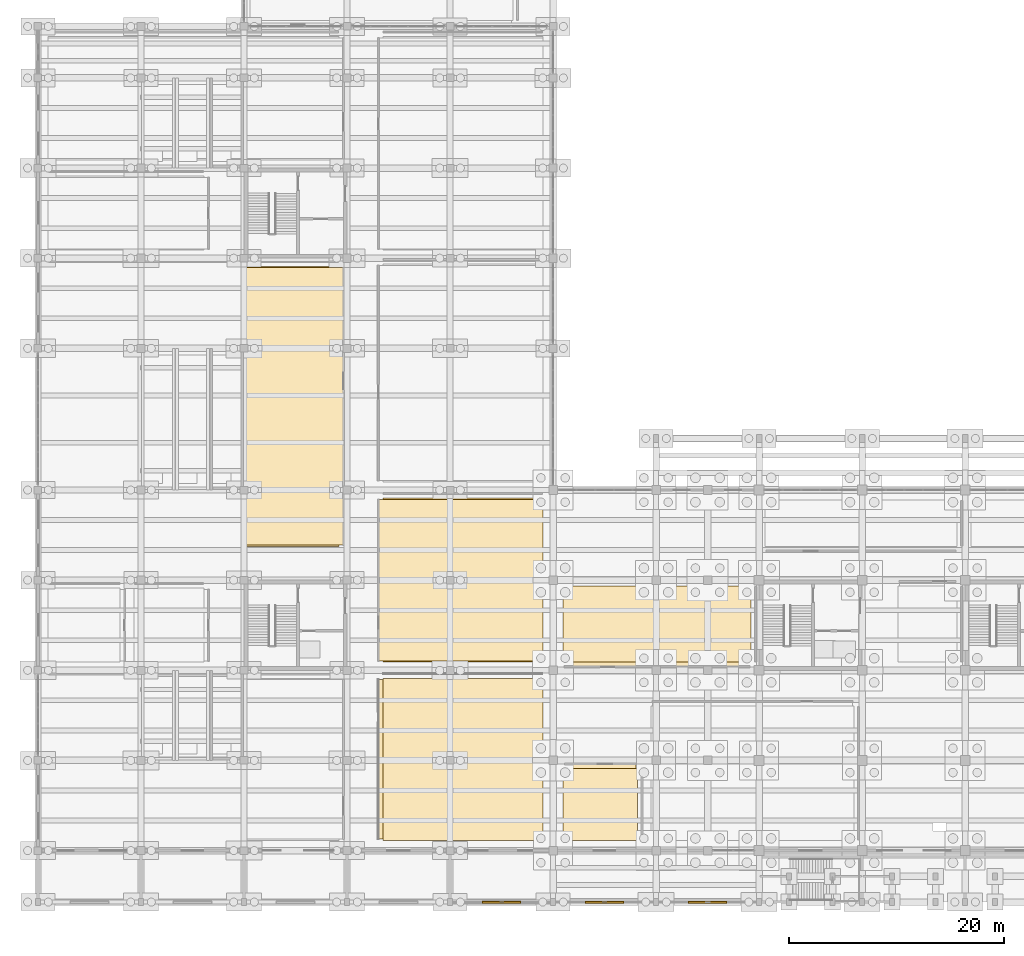
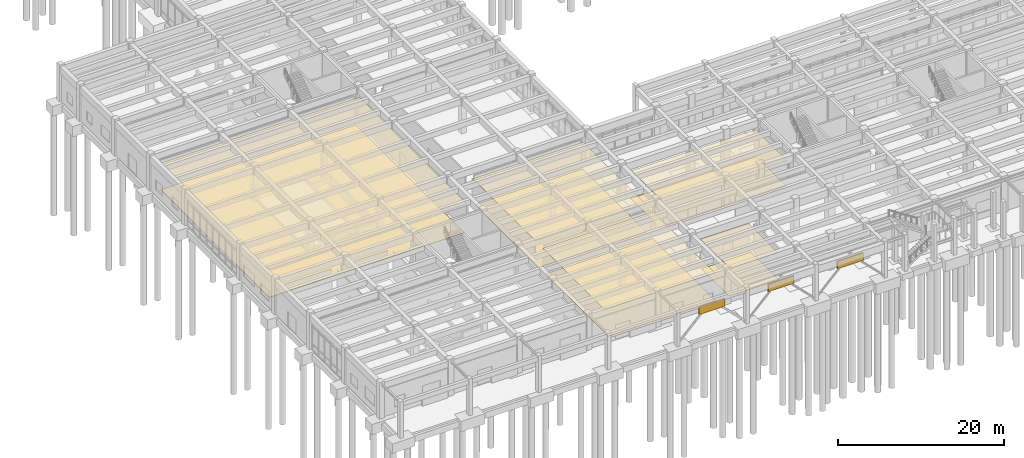
# One storey, part 89 of 102: 10 coverings, 3 shading devices.
"""IFC4 building model written with IfcOpenShell, lengths in metres."""

from ifc_helpers import new_model, si_unit, direction, frame, origin, origin_2d, place, context, subcontext, project, spatial, polyline, rectangle, outline, extrude, material, layer, layer_set, type_object, element, save


model = new_model("IFC4")

# Units and contexts
model_context = context("Model", 3, precision=1e-05, world=origin(), true_north=direction((0.0, 1.0)))
body_context = subcontext(model_context, "Body", "Model", "MODEL_VIEW")
ifc_project = project(units=[si_unit("LENGTHUNIT", "METRE"), si_unit("AREAUNIT", "SQUARE_METRE"), si_unit("VOLUMEUNIT", "CUBIC_METRE"), si_unit("PLANEANGLEUNIT", "RADIAN"), si_unit("MASSUNIT", "GRAM", prefix="KILO")], contexts=[model_context])

# Site, building, storey
site_placement = place(None, origin())
site = spatial("IfcSite", under=ifc_project, at=site_placement, CompositionType="ELEMENT")
building_placement = place(site_placement, origin())
building = spatial("IfcBuilding", under=site, at=building_placement, Name="Kolvemor Railside Polytechnic", CompositionType="ELEMENT")
storey_placement = place(building_placement, origin())
storey = spatial("IfcBuildingStorey", under=building, at=storey_placement, Name="L00", CompositionType="ELEMENT", Elevation=0.0)

# Coverings
ifc_material_1 = material(Name="Perforated acoustic mineral-fibre and timber-slat ceiling", Category="wood")
ifc_layer_1 = layer(ifc_material_1, 0.02490234375, Name="COV-CEIL-1")
ifc_layer_set_1 = layer_set([ifc_layer_1], Name="Perforated acoustic mineral-fibre and timber-slat ceiling")
covering_type_1 = type_object("IfcCoveringType", Name="COV-CEIL-1", PredefinedType="CEILING", material=ifc_layer_set_1)
covering_1_placement = place(storey_placement, frame((0.0, 0.0, 4.014892578125)))
element("IfcCovering", 1, at=covering_1_placement, inside=storey, type_object=covering_type_1, Name="Fire Command Centre Acoustic Ceiling", PredefinedType="CEILING", context=body_context, shape_type="SweptSolid", body=[
    extrude(outline(polyline([(49.080078125, 5.75), (55.719970703125, 5.75), (55.719970703125, 12.8798828125), (49.080078125, 12.8798828125), (49.080078125, 5.75)])), origin(), (0.0, 0.0, 1.0), 0.025146484375),
])
covering_2_placement = place(storey_placement, frame((0.0, 0.0, 4.014892578125)))
element("IfcCovering", 2, at=covering_2_placement, inside=storey, type_object=covering_type_1, Name="Electrical Power Systems Laboratory Acoustic Ceiling", PredefinedType="CEILING", context=body_context, shape_type="SweptSolid", body=[
    extrude(outline(polyline([(49.080078125, 21.919921875), (66.320068359375, 21.919921875), (66.320068359375, 29.449951171875), (49.080078125, 29.449951171875), (49.080078125, 21.919921875)])), origin(), (0.0, 0.0, 1.0), 0.025146484375),
])
ifc_material_2 = material(Name="Perforated acoustic mineral-fibre and timber-slat ceiling", Category="wood")
ifc_layer_2 = layer(ifc_material_2, 0.030029296875, Name="COV-CEIL-2")
ifc_layer_set_2 = layer_set([ifc_layer_2], Name="Perforated acoustic mineral-fibre and timber-slat ceiling")
covering_type_2 = type_object("IfcCoveringType", Name="COV-CEIL-2", PredefinedType="CEILING", material=ifc_layer_set_2)
covering_3_placement = place(storey_placement, frame((0.0, 0.0, 4.010009765625)))
element("IfcCovering", 3, at=covering_3_placement, inside=storey, type_object=covering_type_2, Name="Seminar Room 001 Acoustic Ceiling", PredefinedType="CEILING", context=body_context, shape_type="SweptSolid", body=[
    extrude(outline(polyline([(31.719970703125, 5.8798828125), (47.050048828125, 5.8798828125), (47.050048828125, 20.719970703125), (31.719970703125, 20.719970703125), (31.719970703125, 5.8798828125)])), origin(), (0.0, 0.0, 1.0), 0.030029296875),
])
ifc_material_3 = material(Name="Perforated acoustic mineral-fibre and timber-slat ceiling", Category="wood")
ifc_layer_3 = layer(ifc_material_3, 0.034912109375, Name="COV-CEIL-3")
ifc_layer_set_3 = layer_set([ifc_layer_3], Name="Perforated acoustic mineral-fibre and timber-slat ceiling")
covering_type_3 = type_object("IfcCoveringType", Name="COV-CEIL-3", PredefinedType="CEILING", material=ifc_layer_set_3)
covering_4_placement = place(storey_placement, frame((0.0, 0.0, 4.0048828125)))
element("IfcCovering", 4, at=covering_4_placement, inside=storey, type_object=covering_type_3, Name="Seminar Room 002 Acoustic Ceiling", PredefinedType="CEILING", context=body_context, shape_type="SweptSolid", body=[
    extrude(outline(polyline([(31.719970703125, 22.47998046875), (47.050048828125, 22.47998046875), (47.050048828125, 37.52001953125), (31.719970703125, 37.52001953125), (31.719970703125, 22.47998046875)])), origin(), (0.0, 0.0, 1.0), 0.03515625),
])
ifc_material_4 = material(Name="Perforated acoustic mineral-fibre and timber-slat ceiling", Category="wood")
ifc_layer_4 = layer(ifc_material_4, 0.0400390625, Name="COV-CEIL-4")
ifc_layer_set_4 = layer_set([ifc_layer_4], Name="Perforated acoustic mineral-fibre and timber-slat ceiling")
covering_type_4 = type_object("IfcCoveringType", Name="COV-CEIL-4", PredefinedType="CEILING", material=ifc_layer_set_4)
covering_5_placement = place(storey_placement, frame((0.0, 0.0, 4.0)))
element("IfcCovering", 5, at=covering_5_placement, inside=storey, type_object=covering_type_4, Name="Lecture Theatre LT-2 Acoustic Ceiling", PredefinedType="CEILING", context=body_context, shape_type="SweptSolid", body=[
    extrude(outline(polyline([(0.949951171875, 33.280029296875), (28.47998046875, 33.280029296875), (28.47998046875, 59.1201171875), (0.949951171875, 59.1201171875), (0.949951171875, 33.280029296875)])), origin(), (0.0, 0.0, 1.0), 0.0400390625),
])
ifc_material_5 = material(Name="Polished coral-aggregate terrazzo and laboratory epoxy flooring")
ifc_layer_5 = layer(ifc_material_5, 0.02001953125, Name="COV-FLR-1")
ifc_layer_set_5 = layer_set([ifc_layer_5], Name="Polished coral-aggregate terrazzo and laboratory epoxy flooring")
covering_type_5 = type_object("IfcCoveringType", Name="COV-FLR-1", PredefinedType="FLOORING", material=ifc_layer_set_5)
covering_6_placement = place(storey_placement, origin())
element("IfcCovering", 6, at=covering_6_placement, inside=storey, type_object=covering_type_5, Name="Fire Command Centre Floor Finish", PredefinedType="FLOORING", context=body_context, shape_type="SweptSolid", body=[
    extrude(outline(polyline([(48.949951171875, 5.75), (55.85009765625, 5.75), (55.85009765625, 12.449951171875), (48.949951171875, 12.449951171875), (48.949951171875, 5.75)])), origin(), (0.0, 0.0, 1.0), 0.02001953125),
])
covering_7_placement = place(storey_placement, origin())
element("IfcCovering", 7, at=covering_7_placement, inside=storey, type_object=covering_type_5, Name="Electrical Power Systems Laboratory Floor Finish", PredefinedType="FLOORING", context=body_context, shape_type="SweptSolid", body=[
    extrude(outline(polyline([(48.949951171875, 22.35009765625), (66.449951171875, 22.35009765625), (66.449951171875, 29.449951171875), (48.949951171875, 29.449951171875), (48.949951171875, 22.35009765625)])), origin(), (0.0, 0.0, 1.0), 0.02001953125),
])
ifc_material_6 = material(Name="Polished coral-aggregate terrazzo and laboratory epoxy flooring")
ifc_layer_6 = layer(ifc_material_6, 0.02490234375, Name="COV-FLR-2")
ifc_layer_set_6 = layer_set([ifc_layer_6], Name="Polished coral-aggregate terrazzo and laboratory epoxy flooring")
covering_type_6 = type_object("IfcCoveringType", Name="COV-FLR-2", PredefinedType="FLOORING", material=ifc_layer_set_6)
covering_8_placement = place(storey_placement, origin())
element("IfcCovering", 8, at=covering_8_placement, inside=storey, type_object=covering_type_6, Name="Seminar Room 001 Floor Finish", PredefinedType="FLOORING", context=body_context, shape_type="SweptSolid", body=[
    extrude(outline(polyline([(32.14990234375, 5.75), (47.050048828125, 5.75), (47.050048828125, 20.85009765625), (32.14990234375, 20.85009765625), (32.14990234375, 5.75)])), origin(), (0.0, 0.0, 1.0), 0.02490234375),
])
ifc_material_7 = material(Name="Polished coral-aggregate terrazzo and laboratory epoxy flooring")
ifc_layer_7 = layer(ifc_material_7, 0.030029296875, Name="COV-FLR-3")
ifc_layer_set_7 = layer_set([ifc_layer_7], Name="Polished coral-aggregate terrazzo and laboratory epoxy flooring")
covering_type_7 = type_object("IfcCoveringType", Name="COV-FLR-3", PredefinedType="FLOORING", material=ifc_layer_set_7)
covering_9_placement = place(storey_placement, origin())
element("IfcCovering", 9, at=covering_9_placement, inside=storey, type_object=covering_type_7, Name="Seminar Room 002 Floor Finish", PredefinedType="FLOORING", context=body_context, shape_type="SweptSolid", body=[
    extrude(outline(polyline([(32.14990234375, 22.35009765625), (47.050048828125, 22.35009765625), (47.050048828125, 37.64990234375), (32.14990234375, 37.64990234375), (32.14990234375, 22.35009765625)])), origin(), (0.0, 0.0, 1.0), 0.030029296875),
])
ifc_material_8 = material(Name="Polished coral-aggregate terrazzo and laboratory epoxy flooring")
ifc_layer_8 = layer(ifc_material_8, 0.034912109375, Name="COV-FLR-4")
ifc_layer_set_8 = layer_set([ifc_layer_8], Name="Polished coral-aggregate terrazzo and laboratory epoxy flooring")
covering_type_8 = type_object("IfcCoveringType", Name="COV-FLR-4", PredefinedType="FLOORING", material=ifc_layer_set_8)
covering_10_placement = place(storey_placement, origin())
element("IfcCovering", 10, at=covering_10_placement, inside=storey, type_object=covering_type_8, Name="Lecture Theatre LT-2 Floor Finish", PredefinedType="FLOORING", context=body_context, shape_type="SweptSolid", body=[
    extrude(outline(polyline([(0.949951171875, 33.14990234375), (28.050048828125, 33.14990234375), (28.050048828125, 59.25), (0.949951171875, 59.25), (0.949951171875, 33.14990234375)])), origin(), (0.0, 0.0, 1.0), 0.034912109375),
])

# Shading devices
ifc_material_9 = material(Name="Champagne-bronze PVDF-anodised hurricane storm louvre")
shading_device_type = type_object("IfcShadingDeviceType", Name="SHD-LOUVRE-STORM", PredefinedType="JALOUSIE", material=ifc_material_9)
for number, where, z_axis, x_axis, name in (
    (11, (43.199951171875, 0.0, 3.5), (0.0, 0.0, 1.0), (1.0, 0.0, 0.0), "Hurricane Storm Louvre SLV-05"),
    (12, (52.800048828125, 0.0, 3.5), (0.0, 0.0, 1.0), (1.0, 0.0, 0.0), "Hurricane Storm Louvre SLV-06"),
    (13, (62.39990234375, 0.0, 3.5), (0.0, 0.0, 1.0), (1.0, 0.0, 0.0), "Hurricane Storm Louvre SLV-07"),
):
    element("IfcShadingDevice", number, at=place(storey_placement, frame(where, z_axis=z_axis, x_axis=x_axis)), inside=storey, type_object=shading_device_type, Name=name, PredefinedType="JALOUSIE", context=body_context, shape_type="SweptSolid", body=[
        extrude(rectangle(XDim=3.60009765625, YDim=0.179931640625, at=origin_2d()), origin(), (0.0, 0.0, 1.0), 1.10009765625),
    ])

save(model, "model.ifc")
